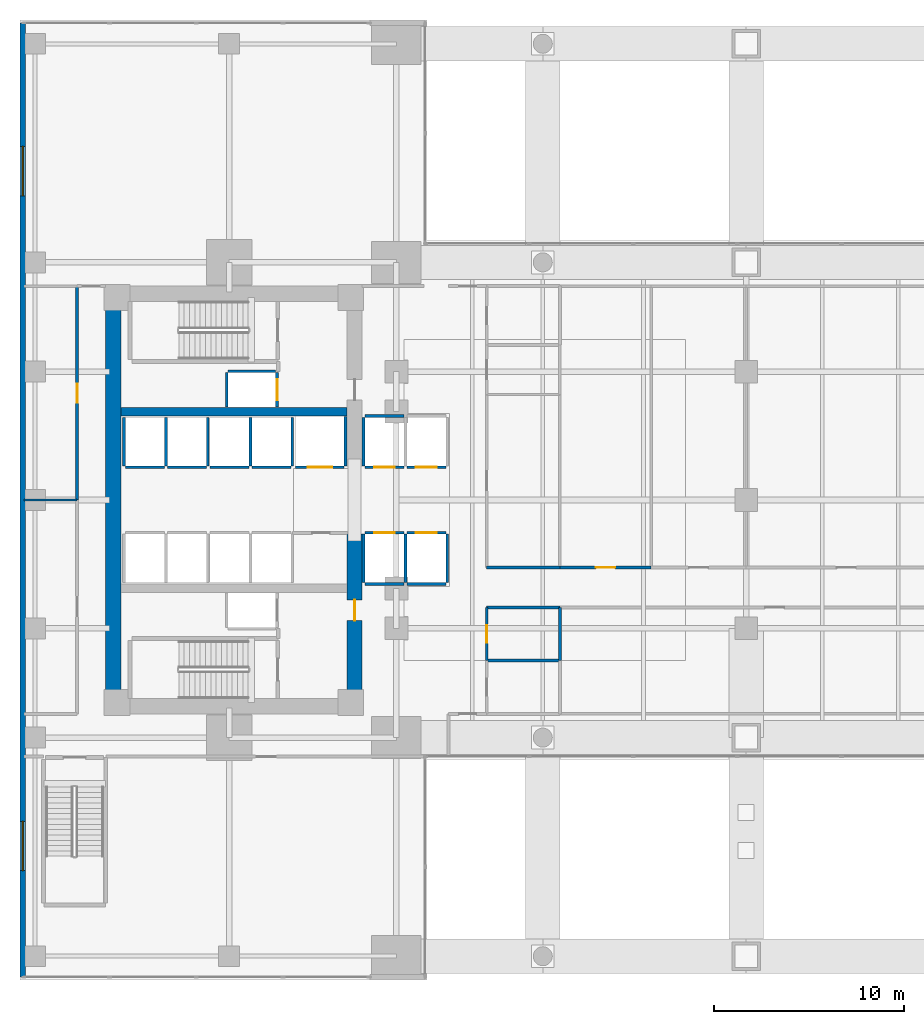
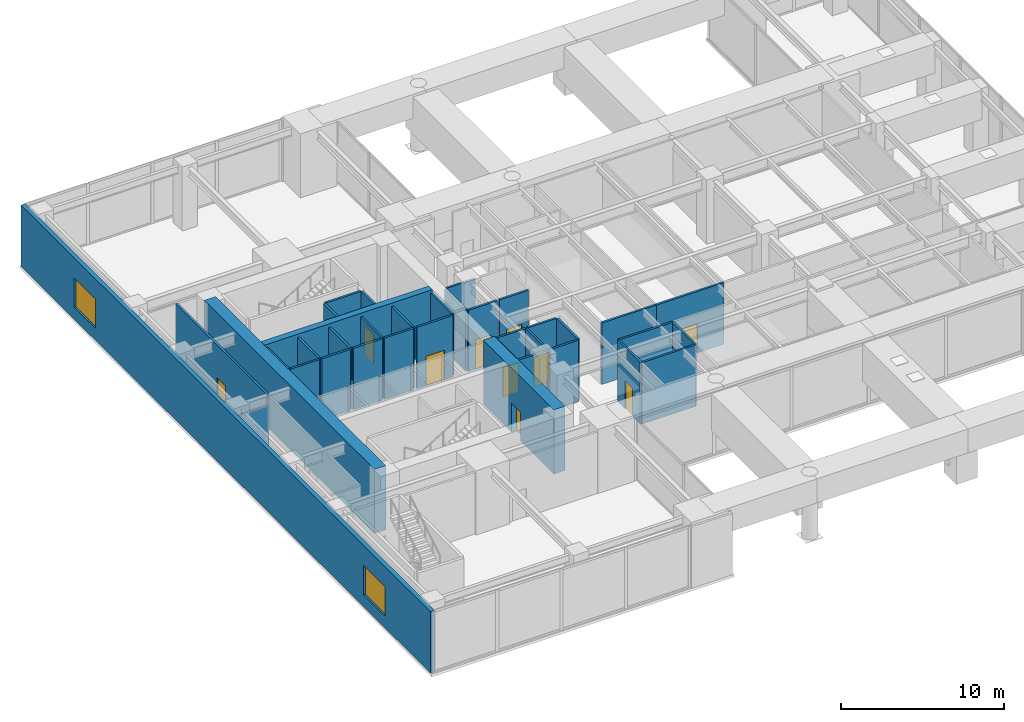
# One storey, part 9 of 13: 37 walls, 10 doors, 2 windows, 12 openings.
"""IFC4 building model written with IfcOpenShell, lengths in metres."""

from ifc_helpers import new_model, si_unit, direction, frame, frame_2d, origin, place, context, subcontext, project, spatial, rectangle, extrude, material, layer, layer_set, type_object, element, fill, save


model = new_model("IFC4")

# Units and contexts
model_context = context("Model", 3, precision=1e-05, world=origin(), true_north=direction((0.0, 1.0)))
body_context = subcontext(model_context, "Body", "Model", "MODEL_VIEW")
ifc_project = project(units=[si_unit("LENGTHUNIT", "METRE"), si_unit("AREAUNIT", "SQUARE_METRE"), si_unit("VOLUMEUNIT", "CUBIC_METRE"), si_unit("PLANEANGLEUNIT", "RADIAN"), si_unit("MASSUNIT", "GRAM", prefix="KILO")], contexts=[model_context])

# Site, building, storey
site_placement = place(None, origin())
site = spatial("IfcSite", under=ifc_project, at=site_placement, CompositionType="ELEMENT")
building_placement = place(site_placement, origin())
building = spatial("IfcBuilding", under=site, at=building_placement, Name="Kinhvarn Gate Tower", CompositionType="ELEMENT")
storey_placement = place(building_placement, frame((0.0, 0.0, 15.60009765625)))
storey = spatial("IfcBuildingStorey", under=building, at=storey_placement, Name="L03", CompositionType="ELEMENT", Elevation=15.60009765625)

# Walls
ifc_material_1 = material(Name="Concrete C50/60", Category="concrete")
ifc_layer_1 = layer(ifc_material_1, 0.449951171875)
ifc_layer_set_1 = layer_set([ifc_layer_1], Name="Concrete C50/60")
wall_type_1 = type_object("IfcWallType", Name="WL-CORE-450", PredefinedType="SHEAR", material=ifc_layer_set_1)
wall_1_placement = place(storey_placement, frame((5.300048828125, 29.89990234375, 0.0), z_axis=(0.0, 0.0, 1.0), x_axis=(1.0, 0.0, 0.0)))
element("IfcWall", 1, at=wall_1_placement, inside=storey, type_object=wall_type_1, Name="Core North Spine Shear Wall L03 450 mm", PredefinedType="SHEAR", context=body_context, shape_type="SweptSolid", body=[
    extrude(rectangle(XDim=11.89990234375, YDim=0.449951171875, at=frame_2d((5.949951171875, 0.0))), origin(), (0.0, 0.0, 1.0), 4.7998046875),
])
ifc_material_2 = material(Name="Concrete C70/85", Category="concrete")
ifc_layer_2 = layer(ifc_material_2, 0.800048828125)
ifc_layer_set_2 = layer_set([ifc_layer_2], Name="Concrete C70/85")
wall_type_2 = type_object("IfcWallType", Name="WL-CORE-800", PredefinedType="SHEAR", material=ifc_layer_set_2)
wall_2_placement = place(storey_placement, frame((4.89990234375, 14.800048828125, 0.0), z_axis=(0.0, 0.0, 1.0), x_axis=(0.0, 1.0, 0.0)))
element("IfcWall", 2, at=wall_2_placement, inside=storey, type_object=wall_type_2, Name="Core West Shear Wall L03 800 mm", PredefinedType="SHEAR", context=body_context, shape_type="SweptSolid", body=[
    extrude(rectangle(XDim=20.89990234375, YDim=0.800048828125, at=frame_2d((10.449951171875, 0.0))), origin(), (0.0, 0.0, 1.0), 4.7998046875),
])

# Wall, opening, door
wall_3_placement = place(storey_placement, frame((17.60009765625, 14.800048828125, 0.0), z_axis=(0.0, 0.0, 1.0), x_axis=(0.0, 1.0, 0.0)))
wall_3 = element("IfcWall", 3, at=wall_3_placement, inside=storey, type_object=wall_type_2, Name="Core East-South Shear Pier L03 800 mm", PredefinedType="SHEAR", context=body_context, shape_type="SweptSolid", body=[
    extrude(rectangle(XDim=8.64990234375, YDim=0.800048828125, at=frame_2d((4.324951171875, 0.0))), origin(), (0.0, 0.0, 1.0), 4.7998046875),
])
opening_1_placement = place(wall_3_placement, frame((4.10009765625, 0.0, 0.0)))
opening_1 = element("IfcOpeningElement", 4, at=opening_1_placement, cuts=wall_3, Name="Opening FD-02", PredefinedType="OPENING", context=body_context, shape_type="SweptSolid", body=[
    extrude(rectangle(XDim=1.10009765625, YDim=2.14990234375, at=frame_2d((0.550048828125, 1.074951171875))), frame((0.0, 0.41015625, 0.0), z_axis=(0.0, -1.0, 0.0), x_axis=(1.0, 0.0, 0.0)), (0.0, 0.0, 1.0), 0.820068359375),
])
ifc_material_3 = material(Name="Anodised aluminium AW-6063", Category="aluminium")
door_type_1 = type_object("IfcDoorType", Name="DR-FD-1100", OperationType="NOTDEFINED", PredefinedType="DOOR", material=ifc_material_3)
door_1_placement = place(opening_1_placement, origin())
door_1 = element("IfcDoor", 5, at=door_1_placement, inside=storey, type_object=door_type_1, Name="Firefighting Lobby Core Door (L03)", OperationType="SINGLE_SWING_RIGHT", OverallHeight=2.14990234375, OverallWidth=1.10009765625, PredefinedType="DOOR", context=body_context, shape_type="SweptSolid", body=[
    extrude(rectangle(XDim=1.10009765625, YDim=2.14990234375, at=frame_2d((0.550048828125, 1.074951171875))), frame((0.0, 0.02490234375, 0.0), z_axis=(0.0, -1.0, 0.0), x_axis=(1.0, 0.0, 0.0)), (0.0, 0.0, 1.0), 0.050048828125),
])
fill(opening_1, door_1)

# Wall, openings, windows
ifc_material_4 = material(Name="Precast white architectural concrete C40/50", Category="concrete")
ifc_layer_3 = layer(ifc_material_4, 0.300048828125)
ifc_layer_set_3 = layer_set([ifc_layer_3], Name="Precast white architectural concrete C40/50")
wall_type_3 = type_object("IfcWallType", Name="WL-EXT-300", PredefinedType="SOLIDWALL", material=ifc_layer_set_3)
wall_4_placement = place(storey_placement, frame((0.14990234375, 50.35009765625, 0.0), z_axis=(0.0, 0.0, 1.0), x_axis=(0.0, -1.0, 0.0)))
wall_4 = element("IfcWall", 6, at=wall_4_placement, inside=storey, type_object=wall_type_3, Name="Exterior Solidwall Wall EW-300 (L03 West)", PredefinedType="SOLIDWALL", context=body_context, shape_type="SweptSolid", body=[
    extrude(rectangle(XDim=50.2001953125, YDim=0.300048828125, at=frame_2d((25.10009765625, 0.0))), origin(), (0.0, 0.0, 1.0), 4.599853515625),
])
opening_2_placement = place(wall_4_placement, frame((6.5, 0.0, 0.89990234375)))
opening_2 = element("IfcOpeningElement", 7, at=opening_2_placement, cuts=wall_4, Name="Opening WN-03", PredefinedType="OPENING", context=body_context, shape_type="SweptSolid", body=[
    extrude(rectangle(XDim=2.60009765625, YDim=2.199951171875, at=frame_2d((1.300048828125, 1.10009765625))), frame((0.0, 0.16015625, 0.0), z_axis=(0.0, -1.0, 0.0), x_axis=(1.0, 0.0, 0.0)), (0.0, 0.0, 1.0), 0.320068359375),
])
opening_3_placement = place(wall_4_placement, frame((42.0, 0.0, 0.89990234375)))
opening_3 = element("IfcOpeningElement", 8, at=opening_3_placement, cuts=wall_4, Name="Opening WN-03", PredefinedType="OPENING", context=body_context, shape_type="SweptSolid", body=[
    extrude(rectangle(XDim=2.60009765625, YDim=2.199951171875, at=frame_2d((1.300048828125, 1.10009765625))), frame((0.0, 0.16015625, 0.0), z_axis=(0.0, -1.0, 0.0), x_axis=(1.0, 0.0, 0.0)), (0.0, 0.0, 1.0), 0.320068359375),
])
ifc_material_5 = material(Name="Clear low-e double glazing", Category="glass")
window_type = type_object("IfcWindowType", Name="WIN-POD-2600", PartitioningType="SINGLE_PANEL", PredefinedType="WINDOW", material=ifc_material_5)
window_1_placement = place(opening_2_placement, origin())
window_1 = element("IfcWindow", 9, at=window_1_placement, inside=storey, type_object=window_type, Name="Podium Gallery Punched Window 2600x2200 mm (L03)", OverallHeight=2.199951171875, OverallWidth=2.60009765625, PartitioningType="SINGLE_PANEL", PredefinedType="WINDOW", context=body_context, shape_type="SweptSolid", body=[
    extrude(rectangle(XDim=2.60009765625, YDim=2.199951171875, at=frame_2d((1.300048828125, 1.10009765625))), frame((0.0, 0.030029296875, 0.0), z_axis=(0.0, -1.0, 0.0), x_axis=(1.0, 0.0, 0.0)), (0.0, 0.0, 1.0), 0.06005859375),
])
fill(opening_2, window_1)
window_2_placement = place(opening_3_placement, origin())
window_2 = element("IfcWindow", 10, at=window_2_placement, inside=storey, type_object=window_type, Name="Podium Gallery Punched Window 2600x2200 mm (L03)", OverallHeight=2.199951171875, OverallWidth=2.60009765625, PartitioningType="SINGLE_PANEL", PredefinedType="WINDOW", context=body_context, shape_type="SweptSolid", body=[
    extrude(rectangle(XDim=2.60009765625, YDim=2.199951171875, at=frame_2d((1.300048828125, 1.10009765625))), frame((0.0, 0.030029296875, 0.0), z_axis=(0.0, -1.0, 0.0), x_axis=(1.0, 0.0, 0.0)), (0.0, 0.0, 1.0), 0.06005859375),
])
fill(opening_3, window_2)

# Walls
ifc_material_6 = material(Name="Gypsum acoustic partition board")
ifc_layer_4 = layer(ifc_material_6, 0.14990234375)
ifc_layer_set_4 = layer_set([ifc_layer_4], Name="Gypsum acoustic partition board")
wall_type_4 = type_object("IfcWallType", Name="WL-PLM-150", PredefinedType="PLUMBINGWALL", material=ifc_layer_set_4)
wall_5_placement = place(storey_placement, frame((24.550048828125, 16.800048828125, 0.0), z_axis=(0.0, 0.0, 1.0), x_axis=(1.0, 0.0, 0.0)))
element("IfcWall", 11, at=wall_5_placement, inside=storey, type_object=wall_type_4, Name="Interior Partition PLW-150 (L03)", PredefinedType="PLUMBINGWALL", context=body_context, shape_type="SweptSolid", body=[
    extrude(rectangle(XDim=3.849853515625, YDim=0.14990234375, at=frame_2d((1.9248046875, 0.0))), origin(), (0.0, 0.0, 1.0), 4.599853515625),
])
wall_6_placement = place(storey_placement, frame((28.39990234375, 16.800048828125, 0.0), z_axis=(0.0, 0.0, 1.0), x_axis=(0.0, 1.0, 0.0)))
element("IfcWall", 12, at=wall_6_placement, inside=storey, type_object=wall_type_4, Name="Interior Partition PLW-150 (L03)", PredefinedType="PLUMBINGWALL", context=body_context, shape_type="SweptSolid", body=[
    extrude(rectangle(XDim=2.800048828125, YDim=0.14990234375, at=frame_2d((1.39990234375, 0.0))), origin(), (0.0, 0.0, 1.0), 4.599853515625),
])

# Wall, opening, door
ifc_layer_5 = layer(ifc_material_6, 0.14990234375)
ifc_layer_set_5 = layer_set([ifc_layer_5], Name="Gypsum acoustic partition board")
wall_type_5 = type_object("IfcWallType", Name="WL-PLM-150F", PredefinedType="PLUMBINGWALL", material=ifc_layer_set_5)
wall_7_placement = place(storey_placement, frame((24.550048828125, 16.800048828125, 0.0), z_axis=(0.0, 0.0, 1.0), x_axis=(0.0, 1.0, 0.0)))
wall_7 = element("IfcWall", 13, at=wall_7_placement, inside=storey, type_object=wall_type_5, Name="Interior Partition PLW-150F (L03)", PredefinedType="PLUMBINGWALL", context=body_context, shape_type="SweptSolid", body=[
    extrude(rectangle(XDim=2.800048828125, YDim=0.14990234375, at=frame_2d((1.39990234375, 0.0))), origin(), (0.0, 0.0, 1.0), 4.599853515625),
])
opening_4_placement = place(wall_7_placement, frame((0.949951171875, 0.0, 0.0)))
opening_4 = element("IfcOpeningElement", 14, at=opening_4_placement, cuts=wall_7, Name="Opening FD-04", PredefinedType="OPENING", context=body_context, shape_type="SweptSolid", body=[
    extrude(rectangle(XDim=0.89990234375, YDim=2.10009765625, at=frame_2d((0.449951171875, 1.050048828125))), frame((0.0, 0.0849609375, 0.0), z_axis=(0.0, -1.0, 0.0), x_axis=(1.0, 0.0, 0.0)), (0.0, 0.0, 1.0), 0.169921875),
])
door_type_2 = type_object("IfcDoorType", Name="DR-FD-900", OperationType="NOTDEFINED", PredefinedType="DOOR", material=ifc_material_3)
door_2_placement = place(opening_4_placement, origin())
door_2 = element("IfcDoor", 15, at=door_2_placement, inside=storey, type_object=door_type_2, Name="Rated Riser & Service Closet Fire Door 900x2100 mm (L03)", OperationType="SINGLE_SWING_RIGHT", OverallHeight=2.10009765625, OverallWidth=0.89990234375, PredefinedType="DOOR", context=body_context, shape_type="SweptSolid", body=[
    extrude(rectangle(XDim=0.89990234375, YDim=2.10009765625, at=frame_2d((0.449951171875, 1.050048828125))), frame((0.0, 0.02490234375, 0.0), z_axis=(0.0, -1.0, 0.0), x_axis=(1.0, 0.0, 0.0)), (0.0, 0.0, 1.0), 0.050048828125),
])
fill(opening_4, door_2)

# Walls
wall_8_placement = place(storey_placement, frame((24.550048828125, 19.60009765625, 0.0), z_axis=(0.0, 0.0, 1.0), x_axis=(1.0, 0.0, 0.0)))
element("IfcWall", 16, at=wall_8_placement, inside=storey, type_object=wall_type_5, Name="Interior Partition PLW-150F (L03)", PredefinedType="PLUMBINGWALL", context=body_context, shape_type="SweptSolid", body=[
    extrude(rectangle(XDim=3.849853515625, YDim=0.14990234375, at=frame_2d((1.9248046875, 0.0))), origin(), (0.0, 0.0, 1.0), 4.599853515625),
])
ifc_layer_6 = layer(ifc_material_6, 0.1201171875)
ifc_layer_set_6 = layer_set([ifc_layer_6], Name="Gypsum acoustic partition board")
wall_type_6 = type_object("IfcWallType", Name="WL-PRT-120", PredefinedType="PARTITIONING", material=ifc_layer_set_6)
wall_9_placement = place(storey_placement, frame((0.199951171875, 25.25, 0.0), z_axis=(0.0, 0.0, 1.0), x_axis=(1.0, 0.0, 0.0)))
element("IfcWall", 17, at=wall_9_placement, inside=storey, type_object=wall_type_6, Name="Interior Partition PW-120 (L03)", PredefinedType="PARTITIONING", context=body_context, shape_type="SweptSolid", body=[
    extrude(rectangle(XDim=2.800048828125, YDim=0.1201171875, at=frame_2d((1.39990234375, 0.0))), origin(), (0.0, 0.0, 1.0), 3.7998046875),
])

# Wall, opening, door
ifc_layer_7 = layer(ifc_material_6, 0.14990234375)
ifc_layer_set_7 = layer_set([ifc_layer_7], Name="Gypsum acoustic partition board")
wall_type_7 = type_object("IfcWallType", Name="WL-PRT-150F", PredefinedType="PARTITIONING", material=ifc_layer_set_7)
wall_10_placement = place(storey_placement, frame((3.0, 25.25, 0.0), z_axis=(0.0, 0.0, 1.0), x_axis=(0.0, 1.0, 0.0)))
wall_10 = element("IfcWall", 18, at=wall_10_placement, inside=storey, type_object=wall_type_7, Name="Interior Partition PW-150F (L03)", PredefinedType="PARTITIONING", context=body_context, shape_type="SweptSolid", body=[
    extrude(rectangle(XDim=11.25, YDim=0.14990234375, at=frame_2d((5.625, 0.0))), origin(), (0.0, 0.0, 1.0), 4.599853515625),
])
opening_5_placement = place(wall_10_placement, frame((5.125, 0.0, 0.0)))
opening_5 = element("IfcOpeningElement", 19, at=opening_5_placement, cuts=wall_10, Name="Opening ID-02", PredefinedType="OPENING", context=body_context, shape_type="SweptSolid", body=[
    extrude(rectangle(XDim=1.0, YDim=2.14990234375, at=frame_2d((0.5, 1.074951171875))), frame((0.0, 0.0849609375, 0.0), z_axis=(0.0, -1.0, 0.0), x_axis=(1.0, 0.0, 0.0)), (0.0, 0.0, 1.0), 0.169921875),
])
door_type_3 = type_object("IfcDoorType", Name="DR-INT-1000", OperationType="NOTDEFINED", PredefinedType="DOOR", material=ifc_material_3)
door_3_placement = place(opening_5_placement, origin())
door_3 = element("IfcDoor", 20, at=door_3_placement, inside=storey, type_object=door_type_3, Name="Standard Office & Meeting Room Door 1000x2150 mm (L03)", OperationType="SINGLE_SWING_LEFT", OverallHeight=2.14990234375, OverallWidth=1.0, PredefinedType="DOOR", context=body_context, shape_type="SweptSolid", body=[
    extrude(rectangle(XDim=1.0, YDim=2.14990234375, at=frame_2d((0.5, 1.074951171875))), frame((0.0, 0.02490234375, 0.0), z_axis=(0.0, -1.0, 0.0), x_axis=(1.0, 0.0, 0.0)), (0.0, 0.0, 1.0), 0.050048828125),
])
fill(opening_5, door_3)

# Wall
wall_11_placement = place(storey_placement, frame((24.550048828125, 21.699951171875, 0.0), z_axis=(0.0, 0.0, 1.0), x_axis=(1.0, 0.0, 0.0)))
element("IfcWall", 21, at=wall_11_placement, inside=storey, type_object=wall_type_7, Name="Interior Partition PW-150F (L03)", PredefinedType="PARTITIONING", context=body_context, shape_type="SweptSolid", body=[
    extrude(rectangle(XDim=3.849853515625, YDim=0.14990234375, at=frame_2d((1.9248046875, 0.0))), origin(), (0.0, 0.0, 1.0), 4.599853515625),
])

# Wall, opening, door
wall_12_placement = place(storey_placement, frame((28.39990234375, 21.699951171875, 0.0), z_axis=(0.0, 0.0, 1.0), x_axis=(1.0, 0.0, 0.0)))
wall_12 = element("IfcWall", 22, at=wall_12_placement, inside=storey, type_object=wall_type_7, Name="Interior Partition PW-150F (L03)", PredefinedType="PARTITIONING", context=body_context, shape_type="SweptSolid", body=[
    extrude(rectangle(XDim=4.800048828125, YDim=0.14990234375, at=frame_2d((2.39990234375, 0.0))), origin(), (0.0, 0.0, 1.0), 4.599853515625),
])
opening_6_placement = place(wall_12_placement, frame((1.89990234375, 0.0, 0.0)))
opening_6 = element("IfcOpeningElement", 23, at=opening_6_placement, cuts=wall_12, Name="Opening ID-02", PredefinedType="OPENING", context=body_context, shape_type="SweptSolid", body=[
    extrude(rectangle(XDim=1.0, YDim=2.14990234375, at=frame_2d((0.5, 1.074951171875))), frame((0.0, 0.0849609375, 0.0), z_axis=(0.0, -1.0, 0.0), x_axis=(1.0, 0.0, 0.0)), (0.0, 0.0, 1.0), 0.169921875),
])
door_4_placement = place(opening_6_placement, origin())
door_4 = element("IfcDoor", 24, at=door_4_placement, inside=storey, type_object=door_type_3, Name="Standard Office & Meeting Room Door 1000x2150 mm (L03)", OperationType="SINGLE_SWING_RIGHT", OverallHeight=2.14990234375, OverallWidth=1.0, PredefinedType="DOOR", context=body_context, shape_type="SweptSolid", body=[
    extrude(rectangle(XDim=1.0, YDim=2.14990234375, at=frame_2d((0.5, 1.074951171875))), frame((0.0, 0.02490234375, 0.0), z_axis=(0.0, -1.0, 0.0), x_axis=(1.0, 0.0, 0.0)), (0.0, 0.0, 1.0), 0.050048828125),
])
fill(opening_6, door_4)

# Wall
ifc_layer_8 = layer(ifc_material_6, 0.14990234375)
ifc_layer_set_8 = layer_set([ifc_layer_8], Name="Gypsum acoustic partition board")
wall_type_8 = type_object("IfcWallType", Name="WL-SHF-150", PredefinedType="PARTITIONING", material=ifc_layer_set_8)
wall_13_placement = place(storey_placement, frame((18.14990234375, 20.824951171875, 0.0), z_axis=(0.0, 0.0, 1.0), x_axis=(1.0, 0.0, 0.0)))
element("IfcWall", 25, at=wall_13_placement, inside=storey, type_object=wall_type_8, Name="Elevator PL-01 Hoistway Wall S (L03)", PredefinedType="PARTITIONING", context=body_context, shape_type="SweptSolid", body=[
    extrude(rectangle(XDim=2.050048828125, YDim=0.14990234375, at=frame_2d((1.02490234375, 0.0))), origin(), (0.0, 0.0, 1.0), 4.599853515625),
])

# Wall, opening, door
wall_14_placement = place(storey_placement, frame((18.14990234375, 23.52490234375, 0.0), z_axis=(0.0, 0.0, 1.0), x_axis=(1.0, 0.0, 0.0)))
wall_14 = element("IfcWall", 26, at=wall_14_placement, inside=storey, type_object=wall_type_8, Name="Elevator PL-01 Landing Wall (L03)", PredefinedType="PARTITIONING", context=body_context, shape_type="SweptSolid", body=[
    extrude(rectangle(XDim=2.050048828125, YDim=0.14990234375, at=frame_2d((1.02490234375, 0.0))), origin(), (0.0, 0.0, 1.0), 4.599853515625),
])
opening_7_placement = place(wall_14_placement, frame((0.47509765625, 0.0, 0.0)))
opening_7 = element("IfcOpeningElement", 27, at=opening_7_placement, cuts=wall_14, Name="Opening LD-01", PredefinedType="OPENING", context=body_context, shape_type="SweptSolid", body=[
    extrude(rectangle(XDim=1.10009765625, YDim=2.199951171875, at=frame_2d((0.550048828125, 1.10009765625))), frame((0.0, 0.0849609375, 0.0), z_axis=(0.0, -1.0, 0.0), x_axis=(1.0, 0.0, 0.0)), (0.0, 0.0, 1.0), 0.169921875),
])
door_type_4 = type_object("IfcDoorType", Name="DR-LND-PAS", OperationType="NOTDEFINED", PredefinedType="DOOR", material=ifc_material_3)
door_5_placement = place(opening_7_placement, origin())
door_5 = element("IfcDoor", 28, at=door_5_placement, inside=storey, type_object=door_type_4, Name="Elevator PL-01 Sliding Landing Door (L03)", OperationType="DOUBLE_DOOR_SLIDING", OverallHeight=2.199951171875, OverallWidth=1.10009765625, PredefinedType="DOOR", context=body_context, shape_type="SweptSolid", body=[
    extrude(rectangle(XDim=1.10009765625, YDim=2.199951171875, at=frame_2d((0.550048828125, 1.10009765625))), frame((0.0, 0.02490234375, 0.0), z_axis=(0.0, -1.0, 0.0), x_axis=(1.0, 0.0, 0.0)), (0.0, 0.0, 1.0), 0.050048828125),
])
fill(opening_7, door_5)

# Walls
for number, where, z_axis, x_axis, name in (
    (29, (18.074951171875, 20.89990234375, 0.0), (0.0, 0.0, 1.0), (0.0, 1.0, 0.0), "Elevator PL-01 Hoistway Wall W (L03)"),
    (30, (20.27490234375, 20.89990234375, 0.0), (0.0, 0.0, 1.0), (0.0, 1.0, 0.0), "Elevator PL-01 Hoistway Wall E (L03)"),
):
    element("IfcWall", number, at=place(storey_placement, frame(where, z_axis=z_axis, x_axis=x_axis)), inside=storey, type_object=wall_type_8, Name=name, PredefinedType="PARTITIONING", context=body_context, shape_type="SweptSolid", body=[
        extrude(rectangle(XDim=2.550048828125, YDim=0.14990234375, at=frame_2d((1.27490234375, 0.0))), origin(), (0.0, 0.0, 1.0), 4.599853515625),
    ])
wall_15_placement = place(storey_placement, frame((20.35009765625, 20.824951171875, 0.0), z_axis=(0.0, 0.0, 1.0), x_axis=(1.0, 0.0, 0.0)))
element("IfcWall", 31, at=wall_15_placement, inside=storey, type_object=wall_type_8, Name="Elevator PL-02 Hoistway Wall S (L03)", PredefinedType="PARTITIONING", context=body_context, shape_type="SweptSolid", body=[
    extrude(rectangle(XDim=2.0498046875, YDim=0.14990234375, at=frame_2d((1.02490234375, 0.0))), origin(), (0.0, 0.0, 1.0), 4.599853515625),
])

# Wall, opening, door
wall_16_placement = place(storey_placement, frame((20.35009765625, 23.52490234375, 0.0), z_axis=(0.0, 0.0, 1.0), x_axis=(1.0, 0.0, 0.0)))
wall_16 = element("IfcWall", 32, at=wall_16_placement, inside=storey, type_object=wall_type_8, Name="Elevator PL-02 Landing Wall (L03)", PredefinedType="PARTITIONING", context=body_context, shape_type="SweptSolid", body=[
    extrude(rectangle(XDim=2.0498046875, YDim=0.14990234375, at=frame_2d((1.02490234375, 0.0))), origin(), (0.0, 0.0, 1.0), 4.599853515625),
])
opening_8_placement = place(wall_16_placement, frame((0.47509765625, 0.0, 0.0)))
opening_8 = element("IfcOpeningElement", 33, at=opening_8_placement, cuts=wall_16, Name="Opening LD-01", PredefinedType="OPENING", context=body_context, shape_type="SweptSolid", body=[
    extrude(rectangle(XDim=1.10009765625, YDim=2.199951171875, at=frame_2d((0.550048828125, 1.10009765625))), frame((0.0, 0.0849609375, 0.0), z_axis=(0.0, -1.0, 0.0), x_axis=(1.0, 0.0, 0.0)), (0.0, 0.0, 1.0), 0.169921875),
])
door_6_placement = place(opening_8_placement, origin())
door_6 = element("IfcDoor", 34, at=door_6_placement, inside=storey, type_object=door_type_4, Name="Elevator PL-02 Sliding Landing Door (L03)", OperationType="DOUBLE_DOOR_SLIDING", OverallHeight=2.199951171875, OverallWidth=1.10009765625, PredefinedType="DOOR", context=body_context, shape_type="SweptSolid", body=[
    extrude(rectangle(XDim=1.10009765625, YDim=2.199951171875, at=frame_2d((0.550048828125, 1.10009765625))), frame((0.0, 0.02490234375, 0.0), z_axis=(0.0, -1.0, 0.0), x_axis=(1.0, 0.0, 0.0)), (0.0, 0.0, 1.0), 0.050048828125),
])
fill(opening_8, door_6)

# Wall
wall_17_placement = place(storey_placement, frame((22.47509765625, 20.89990234375, 0.0), z_axis=(0.0, 0.0, 1.0), x_axis=(0.0, 1.0, 0.0)))
element("IfcWall", 35, at=wall_17_placement, inside=storey, type_object=wall_type_8, Name="Elevator PL-02 Hoistway Wall E (L03)", PredefinedType="PARTITIONING", context=body_context, shape_type="SweptSolid", body=[
    extrude(rectangle(XDim=2.550048828125, YDim=0.14990234375, at=frame_2d((1.27490234375, 0.0))), origin(), (0.0, 0.0, 1.0), 4.599853515625),
])

# Wall, opening, door
wall_18_placement = place(storey_placement, frame((18.14990234375, 26.97509765625, 0.0), z_axis=(0.0, 0.0, 1.0), x_axis=(1.0, 0.0, 0.0)))
wall_18 = element("IfcWall", 36, at=wall_18_placement, inside=storey, type_object=wall_type_8, Name="Elevator PL-03 Landing Wall (L03)", PredefinedType="PARTITIONING", context=body_context, shape_type="SweptSolid", body=[
    extrude(rectangle(XDim=2.050048828125, YDim=0.14990234375, at=frame_2d((1.02490234375, 0.0))), origin(), (0.0, 0.0, 1.0), 4.599853515625),
])
opening_9_placement = place(wall_18_placement, frame((0.47509765625, 0.0, 0.0)))
opening_9 = element("IfcOpeningElement", 37, at=opening_9_placement, cuts=wall_18, Name="Opening LD-01", PredefinedType="OPENING", context=body_context, shape_type="SweptSolid", body=[
    extrude(rectangle(XDim=1.10009765625, YDim=2.199951171875, at=frame_2d((0.550048828125, 1.10009765625))), frame((0.0, 0.0849609375, 0.0), z_axis=(0.0, -1.0, 0.0), x_axis=(1.0, 0.0, 0.0)), (0.0, 0.0, 1.0), 0.169921875),
])
door_7_placement = place(opening_9_placement, origin())
door_7 = element("IfcDoor", 38, at=door_7_placement, inside=storey, type_object=door_type_4, Name="Elevator PL-03 Sliding Landing Door (L03)", OperationType="DOUBLE_DOOR_SLIDING", OverallHeight=2.199951171875, OverallWidth=1.10009765625, PredefinedType="DOOR", context=body_context, shape_type="SweptSolid", body=[
    extrude(rectangle(XDim=1.10009765625, YDim=2.199951171875, at=frame_2d((0.550048828125, 1.10009765625))), frame((0.0, 0.02490234375, 0.0), z_axis=(0.0, -1.0, 0.0), x_axis=(1.0, 0.0, 0.0)), (0.0, 0.0, 1.0), 0.050048828125),
])
fill(opening_9, door_7)

# Walls
wall_19_placement = place(storey_placement, frame((18.14990234375, 29.675048828125, 0.0), z_axis=(0.0, 0.0, 1.0), x_axis=(1.0, 0.0, 0.0)))
element("IfcWall", 39, at=wall_19_placement, inside=storey, type_object=wall_type_8, Name="Elevator PL-03 Hoistway Wall N (L03)", PredefinedType="PARTITIONING", context=body_context, shape_type="SweptSolid", body=[
    extrude(rectangle(XDim=2.050048828125, YDim=0.14990234375, at=frame_2d((1.02490234375, 0.0))), origin(), (0.0, 0.0, 1.0), 4.599853515625),
])
wall_20_placement = place(storey_placement, frame((18.074951171875, 27.050048828125, 0.0), z_axis=(0.0, 0.0, 1.0), x_axis=(0.0, 1.0, 0.0)))
element("IfcWall", 40, at=wall_20_placement, inside=storey, type_object=wall_type_8, Name="Elevator PL-03 Hoistway Wall W (L03)", PredefinedType="PARTITIONING", context=body_context, shape_type="SweptSolid", body=[
    extrude(rectangle(XDim=2.550048828125, YDim=0.14990234375, at=frame_2d((1.27490234375, 0.0))), origin(), (0.0, 0.0, 1.0), 4.599853515625),
])

# Wall, opening, door
wall_21_placement = place(storey_placement, frame((20.35009765625, 26.97509765625, 0.0), z_axis=(0.0, 0.0, 1.0), x_axis=(1.0, 0.0, 0.0)))
wall_21 = element("IfcWall", 41, at=wall_21_placement, inside=storey, type_object=wall_type_8, Name="Elevator PL-04 Landing Wall (L03)", PredefinedType="PARTITIONING", context=body_context, shape_type="SweptSolid", body=[
    extrude(rectangle(XDim=2.0498046875, YDim=0.14990234375, at=frame_2d((1.02490234375, 0.0))), origin(), (0.0, 0.0, 1.0), 4.599853515625),
])
opening_10_placement = place(wall_21_placement, frame((0.47509765625, 0.0, 0.0)))
opening_10 = element("IfcOpeningElement", 42, at=opening_10_placement, cuts=wall_21, Name="Opening LD-01", PredefinedType="OPENING", context=body_context, shape_type="SweptSolid", body=[
    extrude(rectangle(XDim=1.10009765625, YDim=2.199951171875, at=frame_2d((0.550048828125, 1.10009765625))), frame((0.0, 0.0849609375, 0.0), z_axis=(0.0, -1.0, 0.0), x_axis=(1.0, 0.0, 0.0)), (0.0, 0.0, 1.0), 0.169921875),
])
door_8_placement = place(opening_10_placement, origin())
door_8 = element("IfcDoor", 43, at=door_8_placement, inside=storey, type_object=door_type_4, Name="Elevator PL-04 Sliding Landing Door (L03)", OperationType="DOUBLE_DOOR_SLIDING", OverallHeight=2.199951171875, OverallWidth=1.10009765625, PredefinedType="DOOR", context=body_context, shape_type="SweptSolid", body=[
    extrude(rectangle(XDim=1.10009765625, YDim=2.199951171875, at=frame_2d((0.550048828125, 1.10009765625))), frame((0.0, 0.02490234375, 0.0), z_axis=(0.0, -1.0, 0.0), x_axis=(1.0, 0.0, 0.0)), (0.0, 0.0, 1.0), 0.050048828125),
])
fill(opening_10, door_8)

# Walls
wall_22_placement = place(storey_placement, frame((5.550048828125, 26.97509765625, 0.0), z_axis=(0.0, 0.0, 1.0), x_axis=(1.0, 0.0, 0.0)))
element("IfcWall", 44, at=wall_22_placement, inside=storey, type_object=wall_type_8, Name="Elevator PM-07 Landing Wall (L03)", PredefinedType="PARTITIONING", context=body_context, shape_type="SweptSolid", body=[
    extrude(rectangle(XDim=2.050048828125, YDim=0.14990234375, at=frame_2d((1.02490234375, 0.0))), origin(), (0.0, 0.0, 1.0), 4.599853515625),
])
for number, where, z_axis, x_axis, name in (
    (45, (5.47509765625, 27.050048828125, 0.0), (0.0, 0.0, 1.0), (0.0, 1.0, 0.0), "Elevator PM-07 Hoistway Wall W (L03)"),
    (46, (7.675048828125, 27.050048828125, 0.0), (0.0, 0.0, 1.0), (0.0, 1.0, 0.0), "Elevator PM-07 Hoistway Wall E (L03)"),
):
    element("IfcWall", number, at=place(storey_placement, frame(where, z_axis=z_axis, x_axis=x_axis)), inside=storey, type_object=wall_type_8, Name=name, PredefinedType="PARTITIONING", context=body_context, shape_type="SweptSolid", body=[
        extrude(rectangle(XDim=2.550048828125, YDim=0.14990234375, at=frame_2d((1.27490234375, 0.0))), origin(), (0.0, 0.0, 1.0), 4.599853515625),
    ])
wall_23_placement = place(storey_placement, frame((7.75, 26.97509765625, 0.0), z_axis=(0.0, 0.0, 1.0), x_axis=(1.0, 0.0, 0.0)))
element("IfcWall", 47, at=wall_23_placement, inside=storey, type_object=wall_type_8, Name="Elevator PM-08 Landing Wall (L03)", PredefinedType="PARTITIONING", context=body_context, shape_type="SweptSolid", body=[
    extrude(rectangle(XDim=2.050048828125, YDim=0.14990234375, at=frame_2d((1.02490234375, 0.0))), origin(), (0.0, 0.0, 1.0), 4.599853515625),
])
wall_24_placement = place(storey_placement, frame((9.875, 27.050048828125, 0.0), z_axis=(0.0, 0.0, 1.0), x_axis=(0.0, 1.0, 0.0)))
element("IfcWall", 48, at=wall_24_placement, inside=storey, type_object=wall_type_8, Name="Elevator PM-08 Hoistway Wall E (L03)", PredefinedType="PARTITIONING", context=body_context, shape_type="SweptSolid", body=[
    extrude(rectangle(XDim=2.550048828125, YDim=0.14990234375, at=frame_2d((1.27490234375, 0.0))), origin(), (0.0, 0.0, 1.0), 4.599853515625),
])
wall_25_placement = place(storey_placement, frame((10.0, 26.97509765625, 0.0), z_axis=(0.0, 0.0, 1.0), x_axis=(1.0, 0.0, 0.0)))
element("IfcWall", 49, at=wall_25_placement, inside=storey, type_object=wall_type_8, Name="Elevator PH-11 Landing Wall (L03)", PredefinedType="PARTITIONING", context=body_context, shape_type="SweptSolid", body=[
    extrude(rectangle(XDim=2.050048828125, YDim=0.14990234375, at=frame_2d((1.02490234375, 0.0))), origin(), (0.0, 0.0, 1.0), 4.599853515625),
])
wall_26_placement = place(storey_placement, frame((12.125, 27.050048828125, 0.0), z_axis=(0.0, 0.0, 1.0), x_axis=(0.0, 1.0, 0.0)))
element("IfcWall", 50, at=wall_26_placement, inside=storey, type_object=wall_type_8, Name="Elevator PH-11 Hoistway Wall E (L03)", PredefinedType="PARTITIONING", context=body_context, shape_type="SweptSolid", body=[
    extrude(rectangle(XDim=2.550048828125, YDim=0.14990234375, at=frame_2d((1.27490234375, 0.0))), origin(), (0.0, 0.0, 1.0), 4.599853515625),
])
wall_27_placement = place(storey_placement, frame((12.199951171875, 26.97509765625, 0.0), z_axis=(0.0, 0.0, 1.0), x_axis=(1.0, 0.0, 0.0)))
element("IfcWall", 51, at=wall_27_placement, inside=storey, type_object=wall_type_8, Name="Elevator PH-12 Landing Wall (L03)", PredefinedType="PARTITIONING", context=body_context, shape_type="SweptSolid", body=[
    extrude(rectangle(XDim=2.050048828125, YDim=0.14990234375, at=frame_2d((1.02490234375, 0.0))), origin(), (0.0, 0.0, 1.0), 4.599853515625),
])
wall_28_placement = place(storey_placement, frame((14.324951171875, 27.050048828125, 0.0), z_axis=(0.0, 0.0, 1.0), x_axis=(0.0, 1.0, 0.0)))
element("IfcWall", 52, at=wall_28_placement, inside=storey, type_object=wall_type_8, Name="Elevator PH-12 Hoistway Wall E (L03)", PredefinedType="PARTITIONING", context=body_context, shape_type="SweptSolid", body=[
    extrude(rectangle(XDim=2.550048828125, YDim=0.14990234375, at=frame_2d((1.27490234375, 0.0))), origin(), (0.0, 0.0, 1.0), 4.599853515625),
])

# Wall, opening, door
wall_29_placement = place(storey_placement, frame((14.5, 26.97509765625, 0.0), z_axis=(0.0, 0.0, 1.0), x_axis=(1.0, 0.0, 0.0)))
wall_29 = element("IfcWall", 53, at=wall_29_placement, inside=storey, type_object=wall_type_8, Name="Elevator SV-01 Landing Wall (L03)", PredefinedType="PARTITIONING", context=body_context, shape_type="SweptSolid", body=[
    extrude(rectangle(XDim=2.550048828125, YDim=0.14990234375, at=frame_2d((1.27490234375, 0.0))), origin(), (0.0, 0.0, 1.0), 4.599853515625),
])
opening_11_placement = place(wall_29_placement, frame((0.625, 0.0, 0.0)))
opening_11 = element("IfcOpeningElement", 54, at=opening_11_placement, cuts=wall_29, Name="Opening LD-02", PredefinedType="OPENING", context=body_context, shape_type="SweptSolid", body=[
    extrude(rectangle(XDim=1.300048828125, YDim=2.199951171875, at=frame_2d((0.64990234375, 1.10009765625))), frame((0.0, 0.0849609375, 0.0), z_axis=(0.0, -1.0, 0.0), x_axis=(1.0, 0.0, 0.0)), (0.0, 0.0, 1.0), 0.169921875),
])
door_type_5 = type_object("IfcDoorType", Name="DR-LND-SRV", OperationType="NOTDEFINED", PredefinedType="DOOR", material=ifc_material_3)
door_9_placement = place(opening_11_placement, origin())
door_9 = element("IfcDoor", 55, at=door_9_placement, inside=storey, type_object=door_type_5, Name="Elevator SV-01 Sliding Landing Door (L03)", OperationType="DOUBLE_DOOR_SLIDING", OverallHeight=2.199951171875, OverallWidth=1.300048828125, PredefinedType="DOOR", context=body_context, shape_type="SweptSolid", body=[
    extrude(rectangle(XDim=1.300048828125, YDim=2.199951171875, at=frame_2d((0.64990234375, 1.10009765625))), frame((0.0, 0.02490234375, 0.0), z_axis=(0.0, -1.0, 0.0), x_axis=(1.0, 0.0, 0.0)), (0.0, 0.0, 1.0), 0.050048828125),
])
fill(opening_11, door_9)

# Walls
wall_30_placement = place(storey_placement, frame((17.125, 27.050048828125, 0.0), z_axis=(0.0, 0.0, 1.0), x_axis=(0.0, 1.0, 0.0)))
element("IfcWall", 56, at=wall_30_placement, inside=storey, type_object=wall_type_8, Name="Elevator SV-01 Hoistway Wall E (L03)", PredefinedType="PARTITIONING", context=body_context, shape_type="SweptSolid", body=[
    extrude(rectangle(XDim=2.599853515625, YDim=0.14990234375, at=frame_2d((1.2998046875, 0.0))), origin(), (0.0, 0.0, 1.0), 4.599853515625),
])
wall_31_placement = place(storey_placement, frame((10.949951171875, 32.02490234375, 0.0), z_axis=(0.0, 0.0, 1.0), x_axis=(1.0, 0.0, 0.0)))
element("IfcWall", 57, at=wall_31_placement, inside=storey, type_object=wall_type_8, Name="Elevator FF2 Hoistway Wall N (L03)", PredefinedType="PARTITIONING", context=body_context, shape_type="SweptSolid", body=[
    extrude(rectangle(XDim=2.5, YDim=0.14990234375, at=frame_2d((1.25, 0.0))), origin(), (0.0, 0.0, 1.0), 4.599853515625),
])
wall_32_placement = place(storey_placement, frame((10.875, 30.14990234375, 0.0), z_axis=(0.0, 0.0, 1.0), x_axis=(0.0, 1.0, 0.0)))
element("IfcWall", 58, at=wall_32_placement, inside=storey, type_object=wall_type_8, Name="Elevator FF2 Hoistway Wall W (L03)", PredefinedType="PARTITIONING", context=body_context, shape_type="SweptSolid", body=[
    extrude(rectangle(XDim=1.800048828125, YDim=0.14990234375, at=frame_2d((0.89990234375, 0.0))), origin(), (0.0, 0.0, 1.0), 4.599853515625),
])

# Wall, opening, door
wall_33_placement = place(storey_placement, frame((13.52490234375, 30.14990234375, 0.0), z_axis=(0.0, 0.0, 1.0), x_axis=(0.0, 1.0, 0.0)))
wall_33 = element("IfcWall", 59, at=wall_33_placement, inside=storey, type_object=wall_type_8, Name="Elevator FF2 Landing Wall (L03)", PredefinedType="PARTITIONING", context=body_context, shape_type="SweptSolid", body=[
    extrude(rectangle(XDim=1.800048828125, YDim=0.14990234375, at=frame_2d((0.89990234375, 0.0))), origin(), (0.0, 0.0, 1.0), 4.599853515625),
])
opening_12_placement = place(wall_33_placement, frame((0.35009765625, 0.0, 0.0)))
opening_12 = element("IfcOpeningElement", 60, at=opening_12_placement, cuts=wall_33, Name="Opening LD-03", PredefinedType="OPENING", context=body_context, shape_type="SweptSolid", body=[
    extrude(rectangle(XDim=1.10009765625, YDim=2.199951171875, at=frame_2d((0.550048828125, 1.10009765625))), frame((0.0, 0.0849609375, 0.0), z_axis=(0.0, -1.0, 0.0), x_axis=(1.0, 0.0, 0.0)), (0.0, 0.0, 1.0), 0.169921875),
])
door_type_6 = type_object("IfcDoorType", Name="DR-LND-FF", OperationType="NOTDEFINED", PredefinedType="DOOR", material=ifc_material_3)
door_10_placement = place(opening_12_placement, origin())
door_10 = element("IfcDoor", 61, at=door_10_placement, inside=storey, type_object=door_type_6, Name="Elevator FF2 Sliding Landing Door (L03)", OperationType="DOUBLE_DOOR_SLIDING", OverallHeight=2.199951171875, OverallWidth=1.10009765625, PredefinedType="DOOR", context=body_context, shape_type="SweptSolid", body=[
    extrude(rectangle(XDim=1.10009765625, YDim=2.199951171875, at=frame_2d((0.550048828125, 1.10009765625))), frame((0.0, 0.02490234375, 0.0), z_axis=(0.0, -1.0, 0.0), x_axis=(1.0, 0.0, 0.0)), (0.0, 0.0, 1.0), 0.050048828125),
])
fill(opening_12, door_10)

save(model, "model.ifc")
